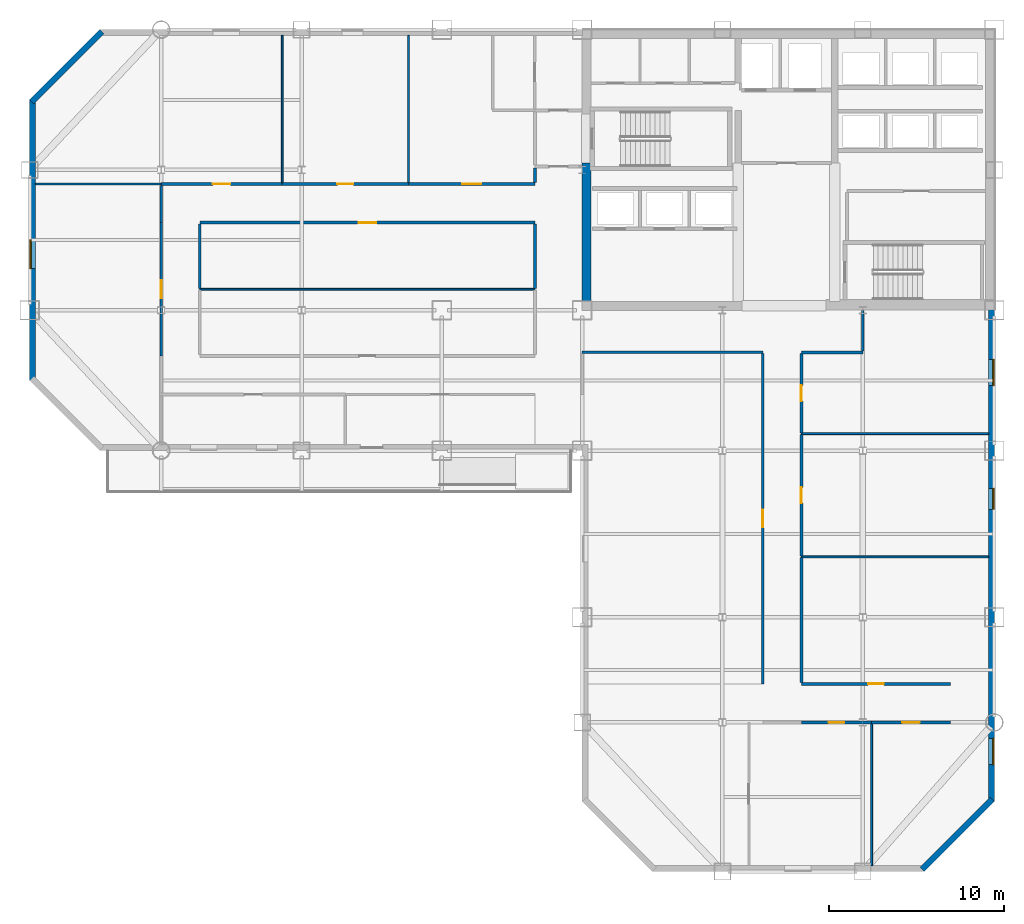
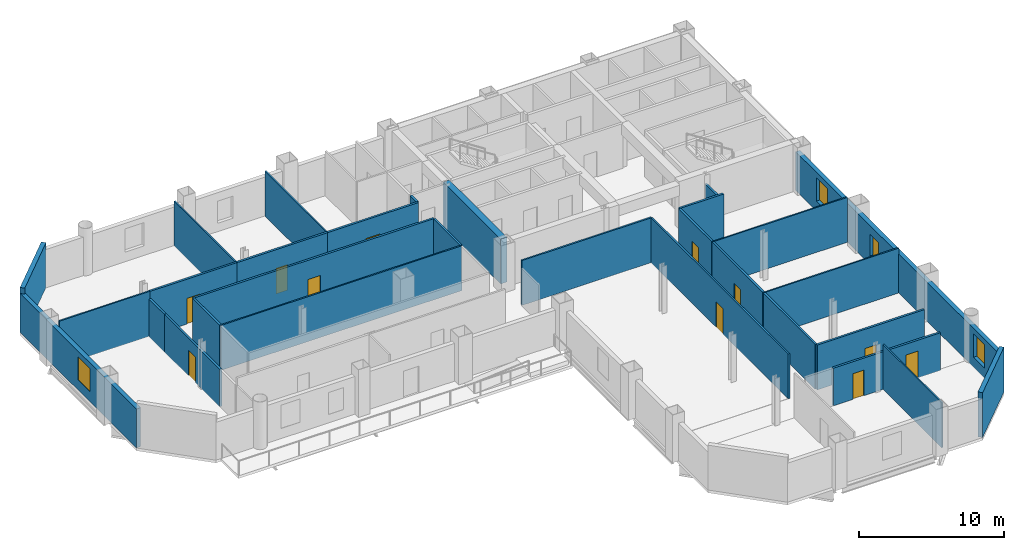
# One storey, part 6 of 10: 31 walls, 11 doors, 4 windows, 15 openings.
"""IFC4 building model written with IfcOpenShell, lengths in metres."""

from ifc_helpers import new_model, si_unit, direction, frame, frame_2d, origin, place, context, subcontext, project, spatial, rectangle, extrude, material, layer, layer_set, type_object, element, fill, save


model = new_model("IFC4")

# Units and contexts
model_context = context("Model", 3, precision=1e-05, world=origin(), true_north=direction((0.0, 1.0)))
body_context = subcontext(model_context, "Body", "Model", "MODEL_VIEW")
ifc_project = project(units=[si_unit("LENGTHUNIT", "METRE"), si_unit("AREAUNIT", "SQUARE_METRE"), si_unit("VOLUMEUNIT", "CUBIC_METRE"), si_unit("PLANEANGLEUNIT", "RADIAN"), si_unit("MASSUNIT", "GRAM", prefix="KILO")], contexts=[model_context])

# Site, building, storey
site_placement = place(None, origin())
site = spatial("IfcSite", under=ifc_project, at=site_placement, CompositionType="ELEMENT")
building_placement = place(site_placement, origin())
building = spatial("IfcBuilding", under=site, at=building_placement, Name="Qianrong Seaharbour Tower", CompositionType="ELEMENT")
storey_placement = place(building_placement, frame((0.0, 0.0, 187.0)))
storey = spatial("IfcBuildingStorey", under=building, at=storey_placement, Name="L45", CompositionType="ELEMENT", Elevation=187.0)

# Wall
ifc_material_1 = material(Name="Concrete C60/75", Category="concrete")
ifc_layer_1 = layer(ifc_material_1, 0.5)
ifc_layer_set_1 = layer_set([ifc_layer_1], Name="Concrete C60/75")
wall_type_1 = type_object("IfcWallType", Name="WALL-CORE-500", PredefinedType="SHEAR", material=ifc_layer_set_1)
wall_1_placement = place(storey_placement, frame((40.75, 36.5, 0.0), z_axis=(0.0, 0.0, 1.0), x_axis=(0.0, 1.0, 0.0)))
element("IfcWall", 1, at=wall_1_placement, inside=storey, type_object=wall_type_1, Name="L45 West Core Shear Wall South", PredefinedType="SHEAR", context=body_context, shape_type="SweptSolid", body=[
    extrude(rectangle(XDim=7.89990234375, YDim=0.5, at=frame_2d((3.949951171875, 0.0))), origin(), (0.0, 0.0, 1.0), 3.764892578125),
])

# Wall, opening, door
ifc_material_2 = material(Name="Fire-rated acoustic gypsum board partition")
ifc_layer_2 = layer(ifc_material_2, 0.1650390625)
ifc_layer_set_2 = layer_set([ifc_layer_2], Name="Fire-rated acoustic gypsum board partition")
wall_type_2 = type_object("IfcWallType", Name="WALL-CORR-PART-165", PredefinedType="PARTITIONING", material=ifc_layer_set_2)
wall_2_placement = place(storey_placement, frame((16.5, 43.199951171875, 0.0), z_axis=(0.0, 0.0, 1.0), x_axis=(1.0, 0.0, 0.0)))
wall_2 = element("IfcWall", 2, at=wall_2_placement, inside=storey, type_object=wall_type_2, Name="L45 Interior Partition Wall 019", PredefinedType="PARTITIONING", context=body_context, shape_type="SweptSolid", body=[
    extrude(rectangle(XDim=6.89990234375, YDim=0.1650390625, at=frame_2d((3.449951171875, 0.0))), origin(), (0.0, 0.0, 1.0), 3.764892578125),
])
opening_1_placement = place(wall_2_placement, frame((2.949951171875, 0.0, 0.0)))
opening_1 = element("IfcOpeningElement", 3, at=opening_1_placement, cuts=wall_2, Name="Opening DO-01", PredefinedType="OPENING", context=body_context, shape_type="SweptSolid", body=[
    extrude(rectangle(XDim=1.0, YDim=2.14990234375, at=frame_2d((0.5, 1.074951171875))), frame((0.0, 0.092529296875, 0.0), z_axis=(0.0, -1.0, 0.0), x_axis=(1.0, 0.0, 0.0)), (0.0, 0.0, 1.0), 0.18505859375),
])
ifc_material_3 = material(Name="Acoustic timber and galvanized steel fire door assembly", Category="steel")
door_type_1 = type_object("IfcDoorType", Name="DOOR-OFFICE-1000x2150", OperationType="NOTDEFINED", PredefinedType="DOOR", material=ifc_material_3)
door_1_placement = place(opening_1_placement, origin())
door_1 = element("IfcDoor", 4, at=door_1_placement, inside=storey, type_object=door_type_1, Name="L45 Legal Support Open-Plan Office Door", OperationType="SINGLE_SWING_LEFT", OverallHeight=2.14990234375, OverallWidth=1.0, PredefinedType="DOOR", context=body_context, shape_type="SweptSolid", body=[
    extrude(rectangle(XDim=1.0, YDim=2.14990234375, at=frame_2d((0.5, 1.074951171875))), frame((0.0, 0.02490234375, 0.0), z_axis=(0.0, -1.0, 0.0), x_axis=(1.0, 0.0, 0.0)), (0.0, 0.0, 1.0), 0.050048828125),
])
fill(opening_1, door_1)

wall_3_placement = place(storey_placement, frame((23.39990234375, 43.199951171875, 0.0), z_axis=(0.0, 0.0, 1.0), x_axis=(1.0, 0.0, 0.0)))
wall_3 = element("IfcWall", 5, at=wall_3_placement, inside=storey, type_object=wall_type_2, Name="L45 Interior Partition Wall 020", PredefinedType="PARTITIONING", context=body_context, shape_type="SweptSolid", body=[
    extrude(rectangle(XDim=7.2001953125, YDim=0.1650390625, at=frame_2d((3.60009765625, 0.0))), origin(), (0.0, 0.0, 1.0), 3.764892578125),
])
opening_2_placement = place(wall_3_placement, frame((3.14990234375, 0.0, 0.0)))
opening_2 = element("IfcOpeningElement", 6, at=opening_2_placement, cuts=wall_3, Name="Opening DS-01", PredefinedType="OPENING", context=body_context, shape_type="SweptSolid", body=[
    extrude(rectangle(XDim=0.89990234375, YDim=2.14990234375, at=frame_2d((0.449951171875, 1.074951171875))), frame((0.0, 0.092529296875, 0.0), z_axis=(0.0, -1.0, 0.0), x_axis=(1.0, 0.0, 0.0)), (0.0, 0.0, 1.0), 0.18505859375),
])
door_type_2 = type_object("IfcDoorType", Name="DOOR-STORE-900x2150", OperationType="NOTDEFINED", PredefinedType="DOOR", material=ifc_material_3)
door_2_placement = place(opening_2_placement, origin())
door_2 = element("IfcDoor", 7, at=door_2_placement, inside=storey, type_object=door_type_2, Name="L45 Corporate Archive Room 1 Door", OperationType="SINGLE_SWING_RIGHT", OverallHeight=2.14990234375, OverallWidth=0.89990234375, PredefinedType="DOOR", context=body_context, shape_type="SweptSolid", body=[
    extrude(rectangle(XDim=0.89990234375, YDim=2.14990234375, at=frame_2d((0.449951171875, 1.074951171875))), frame((0.0, 0.02490234375, 0.0), z_axis=(0.0, -1.0, 0.0), x_axis=(1.0, 0.0, 0.0)), (0.0, 0.0, 1.0), 0.050048828125),
])
fill(opening_2, door_2)

wall_4_placement = place(storey_placement, frame((30.60009765625, 43.199951171875, 0.0), z_axis=(0.0, 0.0, 1.0), x_axis=(1.0, 0.0, 0.0)))
wall_4 = element("IfcWall", 8, at=wall_4_placement, inside=storey, type_object=wall_type_2, Name="L45 Interior Partition Wall 021", PredefinedType="PARTITIONING", context=body_context, shape_type="SweptSolid", body=[
    extrude(rectangle(XDim=7.199951171875, YDim=0.1650390625, at=frame_2d((3.60009765625, 0.0))), origin(), (0.0, 0.0, 1.0), 3.764892578125),
])
opening_3_placement = place(wall_4_placement, frame((3.050048828125, 0.0, 0.0)))
opening_3 = element("IfcOpeningElement", 9, at=opening_3_placement, cuts=wall_4, Name="Opening DM-01", PredefinedType="OPENING", context=body_context, shape_type="SweptSolid", body=[
    extrude(rectangle(XDim=1.10009765625, YDim=2.199951171875, at=frame_2d((0.550048828125, 1.10009765625))), frame((0.0, 0.092529296875, 0.0), z_axis=(0.0, -1.0, 0.0), x_axis=(1.0, 0.0, 0.0)), (0.0, 0.0, 1.0), 0.18505859375),
])
door_type_3 = type_object("IfcDoorType", Name="DOOR-MEET-1100x2200", OperationType="NOTDEFINED", PredefinedType="DOOR", material=ifc_material_3)
door_3_placement = place(opening_3_placement, origin())
door_3 = element("IfcDoor", 10, at=door_3_placement, inside=storey, type_object=door_type_3, Name="L45 Boardroom 2 Door", OperationType="SINGLE_SWING_LEFT", OverallHeight=2.199951171875, OverallWidth=1.10009765625, PredefinedType="DOOR", context=body_context, shape_type="SweptSolid", body=[
    extrude(rectangle(XDim=1.10009765625, YDim=2.199951171875, at=frame_2d((0.550048828125, 1.10009765625))), frame((0.0, 0.02490234375, 0.0), z_axis=(0.0, -1.0, 0.0), x_axis=(1.0, 0.0, 0.0)), (0.0, 0.0, 1.0), 0.050048828125),
])
fill(opening_3, door_3)

wall_5_placement = place(storey_placement, frame((37.800048828125, 41.0, 0.0), z_axis=(0.0, 0.0, 1.0), x_axis=(-1.0, 0.0, 0.0)))
wall_5 = element("IfcWall", 11, at=wall_5_placement, inside=storey, type_object=wall_type_2, Name="L45 Interior Partition Wall 022", PredefinedType="PARTITIONING", context=body_context, shape_type="SweptSolid", body=[
    extrude(rectangle(XDim=19.10009765625, YDim=0.1650390625, at=frame_2d((9.550048828125, 0.0))), origin(), (0.0, 0.0, 1.0), 3.764892578125),
])
opening_4_placement = place(wall_5_placement, frame((9.050048828125, 0.0, 0.0)))
opening_4 = element("IfcOpeningElement", 12, at=opening_4_placement, cuts=wall_5, Name="Opening DO-01", PredefinedType="OPENING", context=body_context, shape_type="SweptSolid", body=[
    extrude(rectangle(XDim=1.0, YDim=2.14990234375, at=frame_2d((0.5, 1.074951171875))), frame((0.0, 0.092529296875, 0.0), z_axis=(0.0, -1.0, 0.0), x_axis=(1.0, 0.0, 0.0)), (0.0, 0.0, 1.0), 0.18505859375),
])
door_4_placement = place(opening_4_placement, origin())
door_4 = element("IfcDoor", 13, at=door_4_placement, inside=storey, type_object=door_type_1, Name="L45 Arbitration Hearing Hall 2 Door", OperationType="SINGLE_SWING_LEFT", OverallHeight=2.14990234375, OverallWidth=1.0, PredefinedType="DOOR", context=body_context, shape_type="SweptSolid", body=[
    extrude(rectangle(XDim=1.0, YDim=2.14990234375, at=frame_2d((0.5, 1.074951171875))), frame((0.0, 0.02490234375, 0.0), z_axis=(0.0, -1.0, 0.0), x_axis=(1.0, 0.0, 0.0)), (0.0, 0.0, 1.0), 0.050048828125),
])
fill(opening_4, door_4)

# Walls
wall_6_placement = place(storey_placement, frame((16.5, 41.0, 0.0), z_axis=(0.0, 0.0, 1.0), x_axis=(0.0, 1.0, 0.0)))
element("IfcWall", 14, at=wall_6_placement, inside=storey, type_object=wall_type_2, Name="L45 Interior Partition Wall 023", PredefinedType="PARTITIONING", context=body_context, shape_type="SweptSolid", body=[
    extrude(rectangle(XDim=2.12548828125, YDim=0.1650390625, at=frame_2d((1.062744140625, 0.0))), origin(), (0.0, 0.0, 1.0), 3.156982421875),
])
wall_7_placement = place(storey_placement, frame((18.699951171875, 40.925537109375, 0.0), z_axis=(0.0, 0.0, 1.0), x_axis=(0.0, -1.0, 0.0)))
element("IfcWall", 15, at=wall_7_placement, inside=storey, type_object=wall_type_2, Name="L45 Interior Partition Wall 025", PredefinedType="PARTITIONING", context=body_context, shape_type="SweptSolid", body=[
    extrude(rectangle(XDim=3.678466796875, YDim=0.1650390625, at=frame_2d((1.83935546875, 0.0))), origin(), (0.0, 0.0, 1.0), 3.764892578125),
])

# Wall, opening, door
wall_8_placement = place(storey_placement, frame((16.5, 33.39990234375, 0.0), z_axis=(0.0, 0.0, 1.0), x_axis=(0.0, 1.0, 0.0)))
wall_8 = element("IfcWall", 16, at=wall_8_placement, inside=storey, type_object=wall_type_2, Name="L45 Interior Partition Wall 026", PredefinedType="PARTITIONING", context=body_context, shape_type="SweptSolid", body=[
    extrude(rectangle(XDim=7.60009765625, YDim=0.1650390625, at=frame_2d((3.800048828125, 0.0))), origin(), (0.0, 0.0, 1.0), 3.156982421875),
])
opening_5_placement = place(wall_8_placement, frame((3.300048828125, 0.0, 0.0)))
opening_5 = element("IfcOpeningElement", 17, at=opening_5_placement, cuts=wall_8, Name="Opening DO-01", PredefinedType="OPENING", context=body_context, shape_type="SweptSolid", body=[
    extrude(rectangle(XDim=1.0, YDim=2.14990234375, at=frame_2d((0.5, 1.074951171875))), frame((0.0, 0.092529296875, 0.0), z_axis=(0.0, -1.0, 0.0), x_axis=(1.0, 0.0, 0.0)), (0.0, 0.0, 1.0), 0.18505859375),
])
door_5_placement = place(opening_5_placement, origin())
door_5 = element("IfcDoor", 18, at=door_5_placement, inside=storey, type_object=door_type_1, Name="L45 Registry Open-Plan Office Door", OperationType="SINGLE_SWING_RIGHT", OverallHeight=2.14990234375, OverallWidth=1.0, PredefinedType="DOOR", context=body_context, shape_type="SweptSolid", body=[
    extrude(rectangle(XDim=1.0, YDim=2.14990234375, at=frame_2d((0.5, 1.074951171875))), frame((0.0, 0.02490234375, 0.0), z_axis=(0.0, -1.0, 0.0), x_axis=(1.0, 0.0, 0.0)), (0.0, 0.0, 1.0), 0.050048828125),
])
fill(opening_5, door_5)

# Walls
wall_9_placement = place(storey_placement, frame((37.800048828125, 43.2744140625, 0.0), z_axis=(0.0, 0.0, 1.0), x_axis=(0.0, 1.0, 0.0)))
element("IfcWall", 19, at=wall_9_placement, inside=storey, type_object=wall_type_2, Name="L45 Interior Partition Wall 027", PredefinedType="PARTITIONING", context=body_context, shape_type="SweptSolid", body=[
    extrude(rectangle(XDim=0.85107421875, YDim=0.1650390625, at=frame_2d((0.425537109375, 0.0))), origin(), (0.0, 0.0, 1.0), 3.764892578125),
])
wall_10_placement = place(storey_placement, frame((37.800048828125, 37.2470703125, 0.0), z_axis=(0.0, 0.0, 1.0), x_axis=(0.0, 1.0, 0.0)))
element("IfcWall", 20, at=wall_10_placement, inside=storey, type_object=wall_type_2, Name="L45 Interior Partition Wall 029", PredefinedType="PARTITIONING", context=body_context, shape_type="SweptSolid", body=[
    extrude(rectangle(XDim=3.678466796875, YDim=0.1650390625, at=frame_2d((1.83935546875, 0.0))), origin(), (0.0, 0.0, 1.0), 3.764892578125),
])
wall_11_placement = place(storey_placement, frame((56.5, 36.0, 0.0), z_axis=(0.0, 0.0, 1.0), x_axis=(0.0, -1.0, 0.0)))
element("IfcWall", 21, at=wall_11_placement, inside=storey, type_object=wall_type_2, Name="L45 Interior Partition Wall 031", PredefinedType="PARTITIONING", context=body_context, shape_type="SweptSolid", body=[
    extrude(rectangle(XDim=2.325439453125, YDim=0.1650390625, at=frame_2d((1.16259765625, 0.0))), origin(), (0.0, 0.0, 1.0), 3.156982421875),
])
wall_12_placement = place(storey_placement, frame((56.5, 33.60009765625, 0.0), z_axis=(0.0, 0.0, 1.0), x_axis=(-1.0, 0.0, 0.0)))
element("IfcWall", 22, at=wall_12_placement, inside=storey, type_object=wall_type_2, Name="L45 Interior Partition Wall 032", PredefinedType="PARTITIONING", context=body_context, shape_type="SweptSolid", body=[
    extrude(rectangle(XDim=3.5, YDim=0.1650390625, at=frame_2d((1.75, 0.0))), origin(), (0.0, 0.0, 1.0), 3.764892578125),
])
wall_13_placement = place(storey_placement, frame((53.0, 21.89306640625, 0.0), z_axis=(0.0, 0.0, 1.0), x_axis=(0.0, -1.0, 0.0)))
element("IfcWall", 23, at=wall_13_placement, inside=storey, type_object=wall_type_2, Name="L45 Interior Partition Wall 034", PredefinedType="PARTITIONING", context=body_context, shape_type="SweptSolid", body=[
    extrude(rectangle(XDim=7.11865234375, YDim=0.1650390625, at=frame_2d((3.559326171875, 0.0))), origin(), (0.0, 0.0, 1.0), 3.764892578125),
])

# Wall, opening, door
wall_14_placement = place(storey_placement, frame((53.0, 28.923095703125, 0.0), z_axis=(0.0, 0.0, 1.0), x_axis=(0.0, -1.0, 0.0)))
wall_14 = element("IfcWall", 24, at=wall_14_placement, inside=storey, type_object=wall_type_2, Name="L45 Interior Partition Wall 035", PredefinedType="PARTITIONING", context=body_context, shape_type="SweptSolid", body=[
    extrude(rectangle(XDim=6.93603515625, YDim=0.1650390625, at=frame_2d((3.468017578125, 0.0))), origin(), (0.0, 0.0, 1.0), 3.764892578125),
])
opening_6_placement = place(wall_14_placement, frame((3.01806640625, 0.0, 0.0)))
opening_6 = element("IfcOpeningElement", 25, at=opening_6_placement, cuts=wall_14, Name="Opening DS-01", PredefinedType="OPENING", context=body_context, shape_type="SweptSolid", body=[
    extrude(rectangle(XDim=0.89990234375, YDim=2.14990234375, at=frame_2d((0.449951171875, 1.074951171875))), frame((0.0, 0.092529296875, 0.0), z_axis=(0.0, -1.0, 0.0), x_axis=(1.0, 0.0, 0.0)), (0.0, 0.0, 1.0), 0.18505859375),
])
door_6_placement = place(opening_6_placement, origin())
door_6 = element("IfcDoor", 26, at=door_6_placement, inside=storey, type_object=door_type_2, Name="L45 Closed File Store 2 Door", OperationType="SINGLE_SWING_RIGHT", OverallHeight=2.14990234375, OverallWidth=0.89990234375, PredefinedType="DOOR", context=body_context, shape_type="SweptSolid", body=[
    extrude(rectangle(XDim=0.89990234375, YDim=2.14990234375, at=frame_2d((0.449951171875, 1.074951171875))), frame((0.0, 0.02490234375, 0.0), z_axis=(0.0, -1.0, 0.0), x_axis=(1.0, 0.0, 0.0)), (0.0, 0.0, 1.0), 0.050048828125),
])
fill(opening_6, door_6)

wall_15_placement = place(storey_placement, frame((53.0, 33.525390625, 0.0), z_axis=(0.0, 0.0, 1.0), x_axis=(0.0, -1.0, 0.0)))
wall_15 = element("IfcWall", 27, at=wall_15_placement, inside=storey, type_object=wall_type_2, Name="L45 Interior Partition Wall 036", PredefinedType="PARTITIONING", context=body_context, shape_type="SweptSolid", body=[
    extrude(rectangle(XDim=4.50830078125, YDim=0.1650390625, at=frame_2d((2.254150390625, 0.0))), origin(), (0.0, 0.0, 1.0), 3.764892578125),
])
opening_7_placement = place(wall_15_placement, frame((1.80419921875, 0.0, 0.0)))
opening_7 = element("IfcOpeningElement", 28, at=opening_7_placement, cuts=wall_15, Name="Opening DS-01", PredefinedType="OPENING", context=body_context, shape_type="SweptSolid", body=[
    extrude(rectangle(XDim=0.89990234375, YDim=2.14990234375, at=frame_2d((0.449951171875, 1.074951171875))), frame((0.0, 0.092529296875, 0.0), z_axis=(0.0, -1.0, 0.0), x_axis=(1.0, 0.0, 0.0)), (0.0, 0.0, 1.0), 0.18505859375),
])
door_7_placement = place(opening_7_placement, origin())
door_7 = element("IfcDoor", 29, at=door_7_placement, inside=storey, type_object=door_type_2, Name="L45 Document Registry Store 3 Door", OperationType="SINGLE_SWING_LEFT", OverallHeight=2.14990234375, OverallWidth=0.89990234375, PredefinedType="DOOR", context=body_context, shape_type="SweptSolid", body=[
    extrude(rectangle(XDim=0.89990234375, YDim=2.14990234375, at=frame_2d((0.449951171875, 1.074951171875))), frame((0.0, 0.02490234375, 0.0), z_axis=(0.0, -1.0, 0.0), x_axis=(1.0, 0.0, 0.0)), (0.0, 0.0, 1.0), 0.050048828125),
])
fill(opening_7, door_7)

wall_16_placement = place(storey_placement, frame((53.0, 14.699951171875, 0.0), z_axis=(0.0, 0.0, 1.0), x_axis=(1.0, 0.0, 0.0)))
wall_16 = element("IfcWall", 30, at=wall_16_placement, inside=storey, type_object=wall_type_2, Name="L45 Interior Partition Wall 039", PredefinedType="PARTITIONING", context=body_context, shape_type="SweptSolid", body=[
    extrude(rectangle(XDim=8.5, YDim=0.1650390625, at=frame_2d((4.25, 0.0))), origin(), (0.0, 0.0, 1.0), 3.764892578125),
])
opening_8_placement = place(wall_16_placement, frame((3.800048828125, 0.0, 0.0)))
opening_8 = element("IfcOpeningElement", 31, at=opening_8_placement, cuts=wall_16, Name="Opening DS-01", PredefinedType="OPENING", context=body_context, shape_type="SweptSolid", body=[
    extrude(rectangle(XDim=0.89990234375, YDim=2.14990234375, at=frame_2d((0.449951171875, 1.074951171875))), frame((0.0, 0.092529296875, 0.0), z_axis=(0.0, -1.0, 0.0), x_axis=(1.0, 0.0, 0.0)), (0.0, 0.0, 1.0), 0.18505859375),
])
door_8_placement = place(opening_8_placement, origin())
door_8 = element("IfcDoor", 32, at=door_8_placement, inside=storey, type_object=door_type_2, Name="L45 Docket Archive Store 1 Door", OperationType="SINGLE_SWING_LEFT", OverallHeight=2.14990234375, OverallWidth=0.89990234375, PredefinedType="DOOR", context=body_context, shape_type="SweptSolid", body=[
    extrude(rectangle(XDim=0.89990234375, YDim=2.14990234375, at=frame_2d((0.449951171875, 1.074951171875))), frame((0.0, 0.02490234375, 0.0), z_axis=(0.0, -1.0, 0.0), x_axis=(1.0, 0.0, 0.0)), (0.0, 0.0, 1.0), 0.050048828125),
])
fill(opening_8, door_8)

wall_17_placement = place(storey_placement, frame((57.0, 12.5, 0.0), z_axis=(0.0, 0.0, 1.0), x_axis=(-1.0, 0.0, 0.0)))
wall_17 = element("IfcWall", 33, at=wall_17_placement, inside=storey, type_object=wall_type_2, Name="L45 Interior Partition Wall 040", PredefinedType="PARTITIONING", context=body_context, shape_type="SweptSolid", body=[
    extrude(rectangle(XDim=4.0, YDim=0.1650390625, at=frame_2d((2.0, 0.0))), origin(), (0.0, 0.0, 1.0), 3.156982421875),
])
opening_9_placement = place(wall_17_placement, frame((1.550048828125, 0.0, 0.0)))
opening_9 = element("IfcOpeningElement", 34, at=opening_9_placement, cuts=wall_17, Name="Opening DS-01", PredefinedType="OPENING", context=body_context, shape_type="SweptSolid", body=[
    extrude(rectangle(XDim=0.89990234375, YDim=2.14990234375, at=frame_2d((0.449951171875, 1.074951171875))), frame((0.0, 0.092529296875, 0.0), z_axis=(0.0, -1.0, 0.0), x_axis=(1.0, 0.0, 0.0)), (0.0, 0.0, 1.0), 0.18505859375),
])
door_9_placement = place(opening_9_placement, origin())
door_9 = element("IfcDoor", 35, at=door_9_placement, inside=storey, type_object=door_type_2, Name="L45 Corporate Archive Room 2 Door", OperationType="SINGLE_SWING_RIGHT", OverallHeight=2.14990234375, OverallWidth=0.89990234375, PredefinedType="DOOR", context=body_context, shape_type="SweptSolid", body=[
    extrude(rectangle(XDim=0.89990234375, YDim=2.14990234375, at=frame_2d((0.449951171875, 1.074951171875))), frame((0.0, 0.02490234375, 0.0), z_axis=(0.0, -1.0, 0.0), x_axis=(1.0, 0.0, 0.0)), (0.0, 0.0, 1.0), 0.050048828125),
])
fill(opening_9, door_9)

wall_18_placement = place(storey_placement, frame((61.5, 12.5, 0.0), z_axis=(0.0, 0.0, 1.0), x_axis=(-1.0, 0.0, 0.0)))
wall_18 = element("IfcWall", 36, at=wall_18_placement, inside=storey, type_object=wall_type_2, Name="L45 Interior Partition Wall 041", PredefinedType="PARTITIONING", context=body_context, shape_type="SweptSolid", body=[
    extrude(rectangle(XDim=4.5, YDim=0.1650390625, at=frame_2d((2.25, 0.0))), origin(), (0.0, 0.0, 1.0), 3.156982421875),
])
opening_10_placement = place(wall_18_placement, frame((1.760009765625, 0.0, 0.0)))
opening_10 = element("IfcOpeningElement", 37, at=opening_10_placement, cuts=wall_18, Name="Opening DE-01", PredefinedType="OPENING", context=body_context, shape_type="SweptSolid", body=[
    extrude(rectangle(XDim=0.97998046875, YDim=2.25, at=frame_2d((0.489990234375, 1.125))), frame((0.0, 0.092529296875, 0.0), z_axis=(0.0, -1.0, 0.0), x_axis=(1.0, 0.0, 0.0)), (0.0, 0.0, 1.0), 0.18505859375),
])
door_type_4 = type_object("IfcDoorType", Name="DOOR-EXEC-980x2250", OperationType="NOTDEFINED", PredefinedType="DOOR", material=ifc_material_3)
door_10_placement = place(opening_10_placement, origin())
door_10 = element("IfcDoor", 38, at=door_10_placement, inside=storey, type_object=door_type_4, Name="L45 Senior Partner Office 3 Door", OperationType="SINGLE_SWING_LEFT", OverallHeight=2.25, OverallWidth=0.97998046875, PredefinedType="DOOR", context=body_context, shape_type="SweptSolid", body=[
    extrude(rectangle(XDim=0.97998046875, YDim=2.25, at=frame_2d((0.489990234375, 1.125))), frame((0.0, 0.02490234375, 0.0), z_axis=(0.0, -1.0, 0.0), x_axis=(1.0, 0.0, 0.0)), (0.0, 0.0, 1.0), 0.050048828125),
])
fill(opening_10, door_10)

# Walls
ifc_material_4 = material(Name="Demountable aluminium-framed acoustic office partition", Category="aluminium")
ifc_layer_3 = layer(ifc_material_4, 0.110107421875)
ifc_layer_set_3 = layer_set([ifc_layer_3], Name="Demountable aluminium-framed acoustic office partition")
wall_type_3 = type_object("IfcWallType", Name="WALL-DEMOUNT-110", PredefinedType="MOVABLE", material=ifc_layer_set_3)
wall_19_placement = place(storey_placement, frame((23.39990234375, 51.66796875, 0.0), z_axis=(0.0, 0.0, 1.0), x_axis=(0.0, -1.0, 0.0)))
element("IfcWall", 39, at=wall_19_placement, inside=storey, type_object=wall_type_3, Name="L45 Interior Partition Wall 042", PredefinedType="MOVABLE", context=body_context, shape_type="SweptSolid", body=[
    extrude(rectangle(XDim=8.3935546875, YDim=0.110107421875, at=frame_2d((4.19677734375, 0.0))), origin(), (0.0, 0.0, 1.0), 3.764892578125),
])
wall_20_placement = place(storey_placement, frame((16.5, 43.199951171875, 0.0), z_axis=(0.0, 0.0, 1.0), x_axis=(-1.0, 0.0, 0.0)))
element("IfcWall", 40, at=wall_20_placement, inside=storey, type_object=wall_type_3, Name="L45 Interior Partition Wall 043", PredefinedType="MOVABLE", context=body_context, shape_type="SweptSolid", body=[
    extrude(rectangle(XDim=7.16796875, YDim=0.110107421875, at=frame_2d((3.583984375, 0.0))), origin(), (0.0, 0.0, 1.0), 3.764892578125),
])
wall_21_placement = place(storey_placement, frame((30.60009765625, 51.66796875, 0.0), z_axis=(0.0, 0.0, 1.0), x_axis=(0.0, -1.0, 0.0)))
element("IfcWall", 41, at=wall_21_placement, inside=storey, type_object=wall_type_3, Name="L45 Interior Partition Wall 044", PredefinedType="MOVABLE", context=body_context, shape_type="SweptSolid", body=[
    extrude(rectangle(XDim=8.3935546875, YDim=0.110107421875, at=frame_2d((4.19677734375, 0.0))), origin(), (0.0, 0.0, 1.0), 3.764892578125),
])
wall_22_placement = place(storey_placement, frame((18.699951171875, 37.199951171875, 0.0), z_axis=(0.0, 0.0, 1.0), x_axis=(1.0, 0.0, 0.0)))
element("IfcWall", 42, at=wall_22_placement, inside=storey, type_object=wall_type_3, Name="L45 Interior Partition Wall 045", PredefinedType="MOVABLE", context=body_context, shape_type="SweptSolid", body=[
    extrude(rectangle(XDim=19.10009765625, YDim=0.110107421875, at=frame_2d((9.550048828125, 0.0))), origin(), (0.0, 0.0, 1.0), 3.764892578125),
])
for number, where, z_axis, x_axis, name in (
    (43, (53.0, 21.93994140625, 0.0), (0.0, 0.0, 1.0), (1.0, 0.0, 0.0), "L45 Interior Partition Wall 048"),
    (44, (53.0, 28.969970703125, 0.0), (0.0, 0.0, 1.0), (1.0, 0.0, 0.0), "L45 Interior Partition Wall 049"),
):
    element("IfcWall", number, at=place(storey_placement, frame(where, z_axis=z_axis, x_axis=x_axis)), inside=storey, type_object=wall_type_3, Name=name, PredefinedType="MOVABLE", context=body_context, shape_type="SweptSolid", body=[
        extrude(rectangle(XDim=10.66796875, YDim=0.110107421875, at=frame_2d((5.333984375, 0.0))), origin(), (0.0, 0.0, 1.0), 3.764892578125),
    ])
wall_23_placement = place(storey_placement, frame((57.0, 12.425537109375, 0.0), z_axis=(0.0, 0.0, 1.0), x_axis=(0.0, -1.0, 0.0)))
element("IfcWall", 45, at=wall_23_placement, inside=storey, type_object=wall_type_3, Name="L45 Interior Partition Wall 051", PredefinedType="MOVABLE", context=body_context, shape_type="SweptSolid", body=[
    extrude(rectangle(XDim=8.093505859375, YDim=0.110107421875, at=frame_2d((4.046875, 0.0))), origin(), (0.0, 0.0, 1.0), 3.764892578125),
])

# Wall, opening, window
ifc_material_5 = material(Name="Unitised buff brick on Precast concrete C45/55", Category="masonry")
ifc_layer_4 = layer(ifc_material_5, 0.340087890625)
ifc_layer_set_4 = layer_set([ifc_layer_4], Name="Unitised buff brick on Precast concrete C45/55")
wall_type_4 = type_object("IfcWallType", Name="WALL-EXT-BRICK-BUFF-340", PredefinedType="SOLIDWALL", material=ifc_layer_set_4)
wall_24_placement = place(storey_placement, frame((9.169921875, 32.0, 0.0), z_axis=(0.0, 0.0, 1.0), x_axis=(0.0, 1.0, 0.0)))
wall_24 = element("IfcWall", 46, at=wall_24_placement, inside=storey, type_object=wall_type_4, Name="L45 Exterior Masonry Facade Wall WEST_TIP", PredefinedType="SOLIDWALL", context=body_context, shape_type="SweptSolid", body=[
    extrude(rectangle(XDim=16.0, YDim=0.340087890625, at=frame_2d((8.0, 0.0))), origin(), (0.0, 0.0, 1.0), 3.264892578125),
])
opening_11_placement = place(wall_24_placement, frame((6.375, 0.0, 0.85009765625)))
opening_11 = element("IfcOpeningElement", 47, at=opening_11_placement, cuts=wall_24, Name="Opening WN-04", PredefinedType="OPENING", context=body_context, shape_type="SweptSolid", body=[
    extrude(rectangle(XDim=1.64990234375, YDim=1.949951171875, at=frame_2d((0.824951171875, 0.97509765625))), frame((0.0, 0.18017578125, 0.0), z_axis=(0.0, -1.0, 0.0), x_axis=(1.0, 0.0, 0.0)), (0.0, 0.0, 1.0), 0.360107421875),
])
ifc_material_6 = material(Name="Insulated low-e double glazing in thermally broken aluminium 6063-T6 frame", Category="aluminium")
window_type_1 = type_object("IfcWindowType", Name="WIN-PUNCH-1650x1950", PartitioningType="DOUBLE_PANEL_VERTICAL", PredefinedType="WINDOW", material=ifc_material_6)
window_1_placement = place(opening_11_placement, origin())
window_1 = element("IfcWindow", 48, at=window_1_placement, inside=storey, type_object=window_type_1, Name="L45 Deep-Set Punched Window 03.02", OverallHeight=1.949951171875, OverallWidth=1.64990234375, PartitioningType="DOUBLE_PANEL_VERTICAL", PredefinedType="WINDOW", context=body_context, shape_type="SweptSolid", body=[
    extrude(rectangle(XDim=1.64990234375, YDim=1.949951171875, at=frame_2d((0.824951171875, 0.97509765625))), frame((0.0, 0.150146484375, 0.0), z_axis=(0.0, -1.0, 0.0), x_axis=(1.0, 0.0, 0.0)), (0.0, 0.0, 1.0), 0.06005859375),
])
fill(opening_11, window_1)

# Wall
wall_25_placement = place(storey_placement, frame((9.1201171875, 47.8798828125, 0.0), z_axis=(0.0, 0.0, 1.0), x_axis=(0.707106781187, 0.707106781187, 0.0)))
element("IfcWall", 49, at=wall_25_placement, inside=storey, type_object=wall_type_4, Name="L45 Exterior Masonry Facade Wall E04", PredefinedType="SOLIDWALL", context=body_context, shape_type="SweptSolid", body=[
    extrude(rectangle(XDim=5.65673828125, YDim=0.340087890625, at=frame_2d((2.828369140625, 0.0))), origin(), (0.0, 0.0, 1.0), 3.764892578125),
])

# Wall, openings, windows
wall_26_placement = place(storey_placement, frame((63.830078125, 36.050048828125, 0.0), z_axis=(0.0, 0.0, 1.0), x_axis=(0.0, -1.0, 0.0)))
wall_26 = element("IfcWall", 50, at=wall_26_placement, inside=storey, type_object=wall_type_4, Name="L45 Exterior Masonry Facade Wall EAST_WING", PredefinedType="SOLIDWALL", context=body_context, shape_type="SweptSolid", body=[
    extrude(rectangle(XDim=28.050048828125, YDim=0.340087890625, at=frame_2d((14.02490234375, 0.0))), origin(), (0.0, 0.0, 1.0), 3.264892578125),
])
opening_12_placement = place(wall_26_placement, frame((2.85009765625, 0.0, 0.85009765625)))
opening_12 = element("IfcOpeningElement", 51, at=opening_12_placement, cuts=wall_26, Name="Opening WN-03", PredefinedType="OPENING", context=body_context, shape_type="SweptSolid", body=[
    extrude(rectangle(XDim=1.5, YDim=1.949951171875, at=frame_2d((0.75, 0.97509765625))), frame((0.0, 0.18017578125, 0.0), z_axis=(0.0, -1.0, 0.0), x_axis=(1.0, 0.0, 0.0)), (0.0, 0.0, 1.0), 0.360107421875),
])
opening_13_placement = place(wall_26_placement, frame((10.199951171875, 0.0, 0.699951171875)))
opening_13 = element("IfcOpeningElement", 52, at=opening_13_placement, cuts=wall_26, Name="Opening WN-01", PredefinedType="OPENING", context=body_context, shape_type="SweptSolid", body=[
    extrude(rectangle(XDim=1.199951171875, YDim=1.85009765625, at=frame_2d((0.60009765625, 0.925048828125))), frame((0.0, 0.18017578125, 0.0), z_axis=(0.0, -1.0, 0.0), x_axis=(1.0, 0.0, 0.0)), (0.0, 0.0, 1.0), 0.360107421875),
])
opening_14_placement = place(wall_26_placement, frame((24.449951171875, 0.0, 0.85009765625)))
opening_14 = element("IfcOpeningElement", 53, at=opening_14_placement, cuts=wall_26, Name="Opening WN-03", PredefinedType="OPENING", context=body_context, shape_type="SweptSolid", body=[
    extrude(rectangle(XDim=1.5, YDim=1.949951171875, at=frame_2d((0.75, 0.97509765625))), frame((0.0, 0.18017578125, 0.0), z_axis=(0.0, -1.0, 0.0), x_axis=(1.0, 0.0, 0.0)), (0.0, 0.0, 1.0), 0.360107421875),
])
window_type_2 = type_object("IfcWindowType", Name="WIN-PUNCH-1200x1850", PartitioningType="DOUBLE_PANEL_VERTICAL", PredefinedType="WINDOW", material=ifc_material_6)
window_2_placement = place(opening_13_placement, origin())
window_2 = element("IfcWindow", 54, at=window_2_placement, inside=storey, type_object=window_type_2, Name="L45 Deep-Set Punched Window 06.03", OverallHeight=1.85009765625, OverallWidth=1.199951171875, PartitioningType="DOUBLE_PANEL_VERTICAL", PredefinedType="WINDOW", context=body_context, shape_type="SweptSolid", body=[
    extrude(rectangle(XDim=1.199951171875, YDim=1.85009765625, at=frame_2d((0.60009765625, 0.925048828125))), frame((0.0, 0.150146484375, 0.0), z_axis=(0.0, -1.0, 0.0), x_axis=(1.0, 0.0, 0.0)), (0.0, 0.0, 1.0), 0.06005859375),
])
fill(opening_13, window_2)
window_type_3 = type_object("IfcWindowType", Name="WIN-PUNCH-1500x1950", PartitioningType="DOUBLE_PANEL_VERTICAL", PredefinedType="WINDOW", material=ifc_material_6)
window_3_placement = place(opening_12_placement, origin())
window_3 = element("IfcWindow", 55, at=window_3_placement, inside=storey, type_object=window_type_3, Name="L45 Deep-Set Punched Window 06.01", OverallHeight=1.949951171875, OverallWidth=1.5, PartitioningType="DOUBLE_PANEL_VERTICAL", PredefinedType="WINDOW", context=body_context, shape_type="SweptSolid", body=[
    extrude(rectangle(XDim=1.5, YDim=1.949951171875, at=frame_2d((0.75, 0.97509765625))), frame((0.0, 0.150146484375, 0.0), z_axis=(0.0, -1.0, 0.0), x_axis=(1.0, 0.0, 0.0)), (0.0, 0.0, 1.0), 0.06005859375),
])
fill(opening_12, window_3)
window_4_placement = place(opening_14_placement, origin())
window_4 = element("IfcWindow", 56, at=window_4_placement, inside=storey, type_object=window_type_3, Name="L45 Deep-Set Punched Window 06.07", OverallHeight=1.949951171875, OverallWidth=1.5, PartitioningType="DOUBLE_PANEL_VERTICAL", PredefinedType="WINDOW", context=body_context, shape_type="SweptSolid", body=[
    extrude(rectangle(XDim=1.5, YDim=1.949951171875, at=frame_2d((0.75, 0.97509765625))), frame((0.0, 0.150146484375, 0.0), z_axis=(0.0, -1.0, 0.0), x_axis=(1.0, 0.0, 0.0)), (0.0, 0.0, 1.0), 0.06005859375),
])
fill(opening_14, window_4)

# Walls
wall_27_placement = place(storey_placement, frame((63.8798828125, 8.1201171875, 0.0), z_axis=(0.0, 0.0, 1.0), x_axis=(-0.707106781187, -0.707106781187, 0.0)))
element("IfcWall", 57, at=wall_27_placement, inside=storey, type_object=wall_type_4, Name="L45 Exterior Masonry Facade Wall E07", PredefinedType="SOLIDWALL", context=body_context, shape_type="SweptSolid", body=[
    extrude(rectangle(XDim=5.65673828125, YDim=0.340087890625, at=frame_2d((2.828369140625, 0.0))), origin(), (0.0, 0.0, 1.0), 3.764892578125),
])
ifc_material_7 = material(Name="Water-resistant cement board sanitary partition")
ifc_layer_5 = layer(ifc_material_7, 0.1298828125)
ifc_layer_set_5 = layer_set([ifc_layer_5], Name="Water-resistant cement board sanitary partition")
wall_type_5 = type_object("IfcWallType", Name="WALL-WET-PART-130", PredefinedType="PARTITIONING", material=ifc_layer_set_5)
wall_28_placement = place(storey_placement, frame((50.800048828125, 33.60009765625, 0.0), z_axis=(0.0, 0.0, 1.0), x_axis=(-1.0, 0.0, 0.0)))
element("IfcWall", 58, at=wall_28_placement, inside=storey, type_object=wall_type_5, Name="L45 Interior Partition Wall 033", PredefinedType="PARTITIONING", context=body_context, shape_type="SweptSolid", body=[
    extrude(rectangle(XDim=10.300048828125, YDim=0.1298828125, at=frame_2d((5.14990234375, 0.0))), origin(), (0.0, 0.0, 1.0), 3.764892578125),
])

# Wall, opening, door
wall_29_placement = place(storey_placement, frame((50.800048828125, 14.699951171875, 0.0), z_axis=(0.0, 0.0, 1.0), x_axis=(0.0, 1.0, 0.0)))
wall_29 = element("IfcWall", 59, at=wall_29_placement, inside=storey, type_object=wall_type_5, Name="L45 Interior Partition Wall 037", PredefinedType="PARTITIONING", context=body_context, shape_type="SweptSolid", body=[
    extrude(rectangle(XDim=18.843017578125, YDim=0.1298828125, at=frame_2d((9.42138671875, 0.0))), origin(), (0.0, 0.0, 1.0), 3.764892578125),
])
opening_15_placement = place(wall_29_placement, frame((8.92138671875, 0.0, 0.0)))
opening_15 = element("IfcOpeningElement", 60, at=opening_15_placement, cuts=wall_29, Name="Opening DO-01", PredefinedType="OPENING", context=body_context, shape_type="SweptSolid", body=[
    extrude(rectangle(XDim=1.0, YDim=2.14990234375, at=frame_2d((0.5, 1.074951171875))), frame((0.0, 0.074951171875, 0.0), z_axis=(0.0, -1.0, 0.0), x_axis=(1.0, 0.0, 0.0)), (0.0, 0.0, 1.0), 0.14990234375),
])
door_11_placement = place(opening_15_placement, origin())
door_11 = element("IfcDoor", 61, at=door_11_placement, inside=storey, type_object=door_type_1, Name="L45 Wet Pantry Door", OperationType="SINGLE_SWING_RIGHT", OverallHeight=2.14990234375, OverallWidth=1.0, PredefinedType="DOOR", context=body_context, shape_type="SweptSolid", body=[
    extrude(rectangle(XDim=1.0, YDim=2.14990234375, at=frame_2d((0.5, 1.074951171875))), frame((0.0, 0.02490234375, 0.0), z_axis=(0.0, -1.0, 0.0), x_axis=(1.0, 0.0, 0.0)), (0.0, 0.0, 1.0), 0.050048828125),
])
fill(opening_15, door_11)

save(model, "model.ifc")
